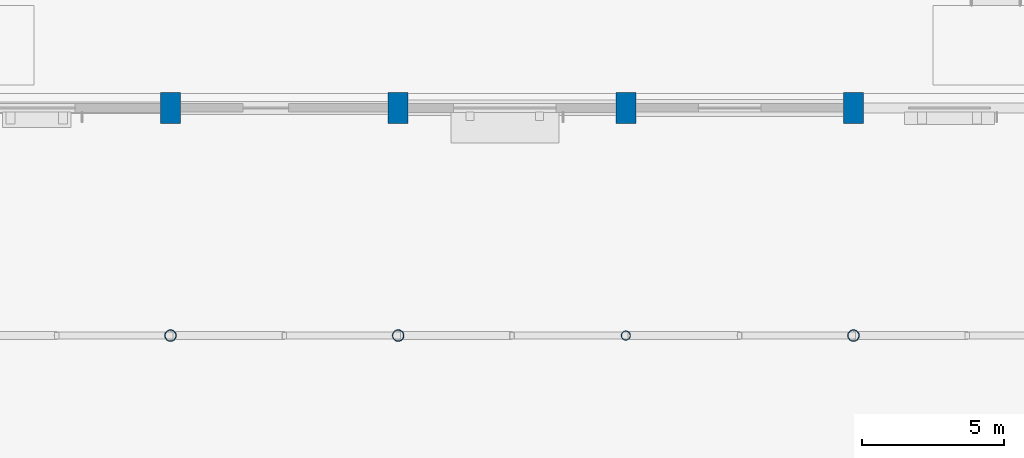
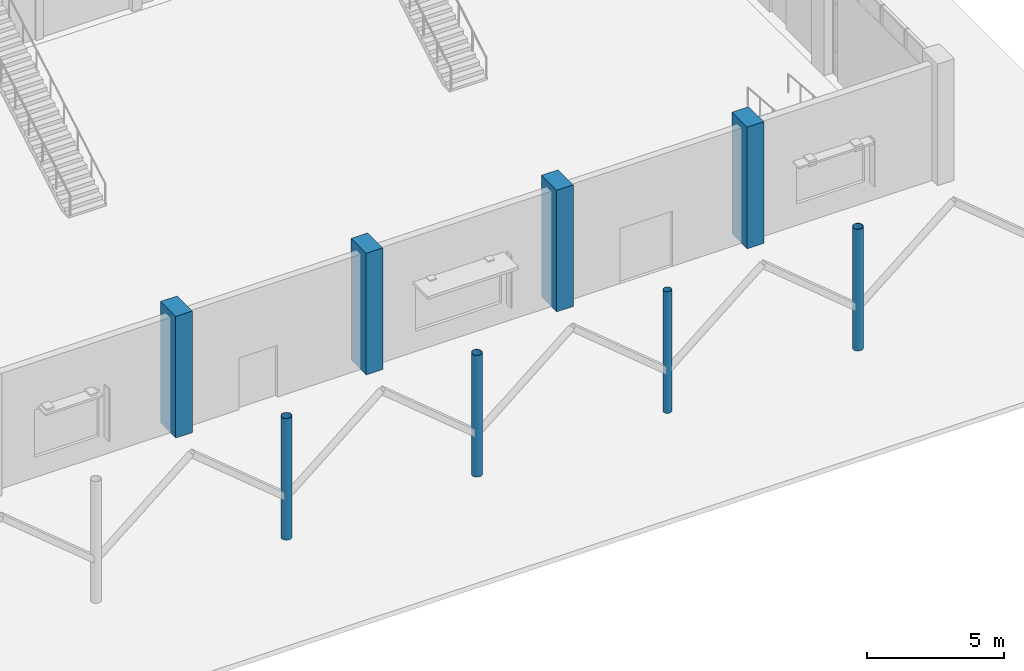
# One storey, part 12 of 123: 8 columns.
"""IFC4 building model written with IfcOpenShell, lengths in metres."""

from ifc_helpers import new_model, si_unit, direction, frame, origin, origin_2d, place, context, subcontext, project, spatial, rectangle, hollow_circle, extrude, material, material_profile, profile_set, type_object, element, save


model = new_model("IFC4")

# Units and contexts
model_context = context("Model", 3, precision=1e-05, world=origin(), true_north=direction((0.0, 1.0)))
body_context = subcontext(model_context, "Body", "Model", "MODEL_VIEW")
ifc_project = project(units=[si_unit("LENGTHUNIT", "METRE"), si_unit("AREAUNIT", "SQUARE_METRE"), si_unit("VOLUMEUNIT", "CUBIC_METRE"), si_unit("PLANEANGLEUNIT", "RADIAN"), si_unit("MASSUNIT", "GRAM", prefix="KILO")], contexts=[model_context])

# Site, building, storey
site_placement = place(None, origin())
site = spatial("IfcSite", under=ifc_project, at=site_placement, CompositionType="ELEMENT")
building_placement = place(site_placement, origin())
building = spatial("IfcBuilding", under=site, at=building_placement, Name="Tenunan Teduh Sports Hall", CompositionType="ELEMENT")
storey_placement = place(building_placement, origin())
storey = spatial("IfcBuildingStorey", under=building, at=storey_placement, Name="L00", CompositionType="ELEMENT", Elevation=0.0)

# Columns
ifc_material_1 = material(Name="Concrete C40/50", Category="concrete")
ifc_material_profile_1 = material_profile(ifc_material_1, rectangle(XDim=0.699951171875, YDim=1.10009765625, at=origin_2d()), Name="RC 700x1100")
ifc_profile_set_1 = profile_set([ifc_material_profile_1], Name="Concrete C40/50")
column_type_1 = type_object("IfcColumnType", Name="COL-RC-700x1100", PredefinedType="COLUMN", material=ifc_profile_set_1)
for number, where, z_axis, x_axis, name in (
    (1, (138.0, 14.0, 0.0), (0.0, 0.0, 1.0), (1.0, 0.0, 0.0), "COL-C-15-L00-177"),
    (2, (146.0, 14.0, 0.0), (0.0, 0.0, 1.0), (1.0, 0.0, 0.0), "COL-C-15-L00-187"),
    (3, (154.0, 14.0, 0.0), (0.0, 0.0, 1.0), (1.0, 0.0, 0.0), "COL-C-15-L00-200"),
    (4, (162.0, 14.0, 0.0), (0.0, 0.0, 1.0), (1.0, 0.0, 0.0), "COL-C-15-L00-213"),
):
    element("IfcColumn", number, at=place(storey_placement, frame(where, z_axis=z_axis, x_axis=x_axis)), inside=storey, type_object=column_type_1, Name=name, PredefinedType="COLUMN", context=body_context, shape_type="SweptSolid", body=[
        extrude(rectangle(XDim=0.699951171875, YDim=1.10009765625, at=origin_2d()), origin(), (0.0, 0.0, 1.0), 5.39990234375),
    ])
ifc_material_2 = material(Name="Steel S355", Category="steel")
ifc_material_profile_2 = material_profile(ifc_material_2, hollow_circle(Radius=0.161865234375, WallThickness=0.012451171875, at=origin_2d()), Name="CHS 323.9x12.5")
ifc_profile_set_2 = profile_set([ifc_material_profile_2], Name="Steel S355")
column_type_2 = type_object("IfcColumnType", Name="COL-ST-CHS324", PredefinedType="COLUMN", material=ifc_profile_set_2)
column_placement = place(storey_placement, frame((154.0, 6.0, 0.0), z_axis=(0.0, 0.0, 1.0), x_axis=(1.0, 0.0, 0.0)))
element("IfcColumn", 5, at=column_placement, inside=storey, type_object=column_type_2, Name="COL-SC-06-L00-199", PredefinedType="COLUMN", context=body_context, shape_type="SweptSolid", body=[
    extrude(hollow_circle(Radius=0.161865234375, WallThickness=0.012451171875, at=origin_2d()), origin(), (0.0, 0.0, 1.0), 5.39990234375),
])
ifc_material_3 = material(Name="Steel S355", Category="steel")
ifc_material_profile_3 = material_profile(ifc_material_3, hollow_circle(Radius=0.203125, WallThickness=0.01611328125, at=origin_2d()), Name="CHS 406.4x16.0")
ifc_profile_set_3 = profile_set([ifc_material_profile_3], Name="Steel S355")
column_type_3 = type_object("IfcColumnType", Name="COL-ST-CHS406", PredefinedType="COLUMN", material=ifc_profile_set_3)
for number, where, z_axis, x_axis, name in (
    (6, (138.0, 6.0, 0.0), (0.0, 0.0, 1.0), (1.0, 0.0, 0.0), "COL-SC-05-L00-176"),
    (7, (146.0, 6.0, 0.0), (0.0, 0.0, 1.0), (1.0, 0.0, 0.0), "COL-SC-05-L00-186"),
    (8, (162.0, 6.0, 0.0), (0.0, 0.0, 1.0), (1.0, 0.0, 0.0), "COL-SC-05-L00-212"),
):
    element("IfcColumn", number, at=place(storey_placement, frame(where, z_axis=z_axis, x_axis=x_axis)), inside=storey, type_object=column_type_3, Name=name, PredefinedType="COLUMN", context=body_context, shape_type="SweptSolid", body=[
        extrude(hollow_circle(Radius=0.203125, WallThickness=0.01611328125, at=origin_2d()), origin(), (0.0, 0.0, 1.0), 5.39990234375),
    ])

save(model, "model.ifc")
